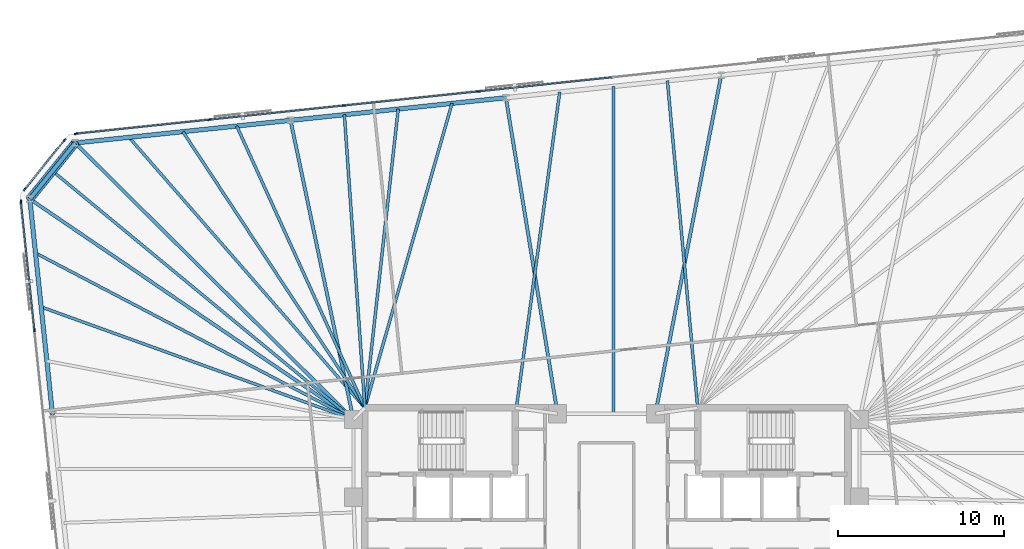
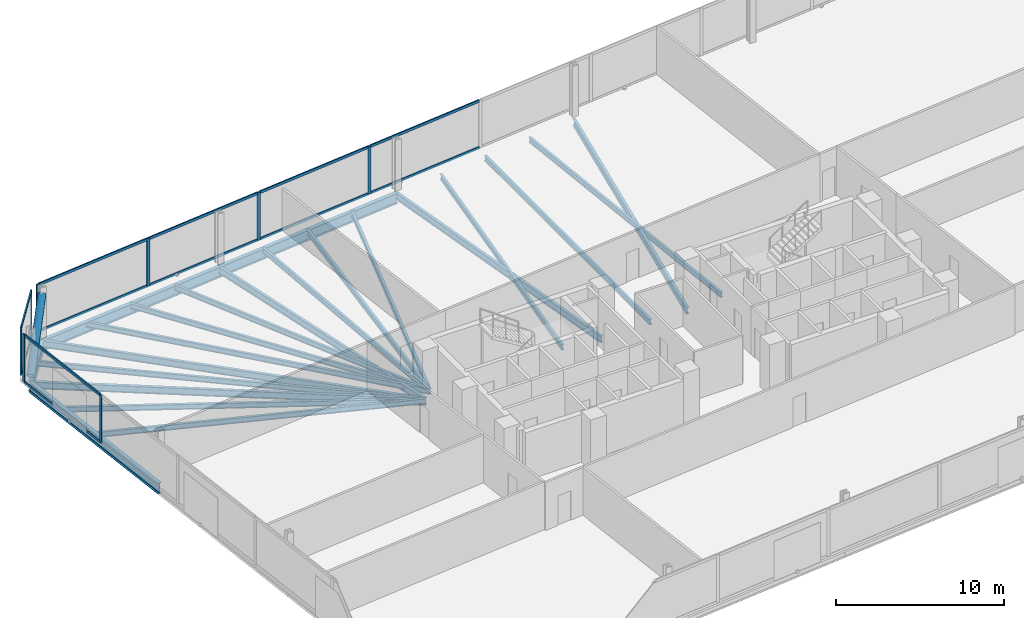
# One storey, part 9 of 18: 21 beams, 21 members, 3 elements without a shape of their own.
"""IFC4 building model written with IfcOpenShell, lengths in metres."""

from ifc_helpers import new_model, si_unit, direction, frame, origin, origin_2d, place, context, subcontext, project, spatial, rectangle, hollow_circle, i_section, extrude, material, material_profile, profile_set, type_object, element, aggregate, save


model = new_model("IFC4")

# Units and contexts
model_context = context("Model", 3, precision=1e-05, world=origin(), true_north=direction((0.0, 1.0)))
body_context = subcontext(model_context, "Body", "Model", "MODEL_VIEW")
ifc_project = project(units=[si_unit("LENGTHUNIT", "METRE"), si_unit("AREAUNIT", "SQUARE_METRE"), si_unit("VOLUMEUNIT", "CUBIC_METRE"), si_unit("PLANEANGLEUNIT", "RADIAN"), si_unit("MASSUNIT", "GRAM", prefix="KILO")], contexts=[model_context])

# Site, building, storey
site_placement = place(None, origin())
site = spatial("IfcSite", under=ifc_project, at=site_placement, CompositionType="ELEMENT")
building_placement = place(site_placement, origin())
building = spatial("IfcBuilding", under=site, at=building_placement, Name="Menara Jurai Vektor", CompositionType="ELEMENT")
storey_placement = place(building_placement, frame((0.0, 0.0, 135.5)))
storey = spatial("IfcBuildingStorey", under=building, at=storey_placement, Name="L34", CompositionType="ELEMENT", Elevation=135.5)

# Curtain wall, members
ifc_material_1 = material(Name="Anodised Pale Aluminium & Low-E Double Glazing", Category="aluminium")
curtain_wall_type = type_object("IfcCurtainWallType", Name="CW-BLK2", PredefinedType="NOTDEFINED", material=ifc_material_1)
curtain_wall_1_placement = place(storey_placement, origin())
curtain_wall_1 = element("IfcCurtainWall", 1, at=curtain_wall_1_placement, inside=storey, type_object=curtain_wall_type, Name="Unitised Curtain Wall L34 F05", PredefinedType="NOTDEFINED")
ifc_material_2 = material(Name="Anodised Pale Aluminium Mullion", Category="aluminium")
ifc_material_profile_1 = material_profile(ifc_material_2, rectangle(XDim=0.090087890625, YDim=0.219970703125, at=origin_2d()), Name="ALU MUL 90x220")
ifc_profile_set_1 = profile_set([ifc_material_profile_1], Name="Anodised Pale Aluminium Mullion")
member_type_1 = type_object("IfcMemberType", Name="CW-BLK2-MUL", PredefinedType="MULLION", material=ifc_profile_set_1)
member_1_placement = place(storey_placement, frame((-7.728271484375, 24.67138671875, 0.0), z_axis=(0.0, 0.0, 1.0), x_axis=(0.104528634935, -0.994521877325, 0.0)))
member_1 = element("IfcMember", 2, at=member_1_placement, type_object=member_type_1, Name="CW-02 mullion 6", PredefinedType="MULLION", context=body_context, shape_type="SweptSolid", body=[
    extrude(rectangle(XDim=0.090087890625, YDim=0.219970703125, at=origin_2d()), origin(), (0.0, 0.0, 1.0), 3.47509765625),
])
member_2_placement = place(storey_placement, frame((-15.826171875, 23.8203125, 0.0), z_axis=(0.0, 0.0, 1.0), x_axis=(0.104528634935, -0.994521877325, 0.0)))
member_2 = element("IfcMember", 3, at=member_2_placement, type_object=member_type_1, Name="CW-02 mullion 7", PredefinedType="MULLION", context=body_context, shape_type="SweptSolid", body=[
    extrude(rectangle(XDim=0.090087890625, YDim=0.219970703125, at=origin_2d()), origin(), (0.0, 0.0, 1.0), 3.47509765625),
])
member_3_placement = place(storey_placement, frame((-23.924072265625, 22.96923828125, 0.0), z_axis=(0.0, 0.0, 1.0), x_axis=(0.104528634935, -0.994521877325, 0.0)))
member_3 = element("IfcMember", 4, at=member_3_placement, type_object=member_type_1, Name="CW-02 mullion 8", PredefinedType="MULLION", context=body_context, shape_type="SweptSolid", body=[
    extrude(rectangle(XDim=0.090087890625, YDim=0.219970703125, at=origin_2d()), origin(), (0.0, 0.0, 1.0), 3.47509765625),
])
member_4_placement = place(storey_placement, frame((-31.97705078125, 22.122802734375, 0.0), z_axis=(0.0, 0.0, 1.0), x_axis=(0.104528634935, -0.994521877325, 0.0)))
member_4 = element("IfcMember", 5, at=member_4_placement, type_object=member_type_1, Name="CW-02 mullion 9", PredefinedType="MULLION", context=body_context, shape_type="SweptSolid", body=[
    extrude(rectangle(XDim=0.090087890625, YDim=0.219970703125, at=origin_2d()), origin(), (0.0, 0.0, 1.0), 3.47509765625),
])

curtain_wall_2_placement = place(storey_placement, origin())
curtain_wall_2 = element("IfcCurtainWall", 6, at=curtain_wall_2_placement, inside=storey, type_object=curtain_wall_type, Name="Unitised Curtain Wall L34 F06", PredefinedType="NOTDEFINED")
member_5_placement = place(storey_placement, frame((-32.667236328125, 21.748046875, 0.0), z_axis=(0.0, 0.0, 1.0), x_axis=(0.777129222223, -0.62934106172, 0.0)))
member_5 = element("IfcMember", 7, at=member_5_placement, type_object=member_type_1, Name="CW-02 mullion 1", PredefinedType="MULLION", context=body_context, shape_type="SweptSolid", body=[
    extrude(rectangle(XDim=0.090087890625, YDim=0.219970703125, at=origin_2d()), origin(), (0.0, 0.0, 1.0), 3.47509765625),
])
member_6_placement = place(storey_placement, frame((-35.0693359375, 18.781982421875, 0.0), z_axis=(0.0, 0.0, 1.0), x_axis=(0.777129222223, -0.62934106172, 0.0)))
member_6 = element("IfcMember", 8, at=member_6_placement, type_object=member_type_1, Name="CW-02 mullion 2", PredefinedType="MULLION", context=body_context, shape_type="SweptSolid", body=[
    extrude(rectangle(XDim=0.090087890625, YDim=0.219970703125, at=origin_2d()), origin(), (0.0, 0.0, 1.0), 3.47509765625),
])

curtain_wall_3_placement = place(storey_placement, origin())
curtain_wall_3 = element("IfcCurtainWall", 9, at=curtain_wall_3_placement, inside=storey, type_object=curtain_wall_type, Name="Unitised Curtain Wall L34 F07", PredefinedType="NOTDEFINED")
member_7_placement = place(storey_placement, frame((-35.29248046875, 18.029052734375, 0.0), z_axis=(0.0, 0.0, 1.0), x_axis=(0.99452177832, 0.104529576902, 0.0)))
member_7 = element("IfcMember", 10, at=member_7_placement, type_object=member_type_1, Name="CW-02 mullion 1", PredefinedType="MULLION", context=body_context, shape_type="SweptSolid", body=[
    extrude(rectangle(XDim=0.090087890625, YDim=0.219970703125, at=origin_2d()), origin(), (0.0, 0.0, 1.0), 3.47509765625),
])
member_8_placement = place(storey_placement, frame((-34.478759765625, 10.28857421875, 0.0), z_axis=(0.0, 0.0, 1.0), x_axis=(0.99452177832, 0.104529576902, 0.0)))
member_8 = element("IfcMember", 11, at=member_8_placement, type_object=member_type_1, Name="CW-02 mullion 2", PredefinedType="MULLION", context=body_context, shape_type="SweptSolid", body=[
    extrude(rectangle(XDim=0.090087890625, YDim=0.219970703125, at=origin_2d()), origin(), (0.0, 0.0, 1.0), 3.47509765625),
])

# Member
ifc_material_3 = material(Name="Anodised Pale Aluminium Transom", Category="aluminium")
ifc_material_profile_2 = material_profile(ifc_material_3, rectangle(XDim=0.090087890625, YDim=0.18505859375, at=origin_2d()), Name="ALU TRN 90x185")
ifc_profile_set_2 = profile_set([ifc_material_profile_2], Name="Anodised Pale Aluminium Transom")
member_type_2 = type_object("IfcMemberType", Name="CW-BLK2-TRN", PredefinedType="USERDEFINED", material=ifc_profile_set_2)
member_9_placement = place(storey_placement, frame((0.324951171875, 25.517822265625, 0.044921875), z_axis=(-0.99452387809, -0.104509597213, 0.0), x_axis=(0.104509597213, -0.99452387809, 0.0)))
member_9 = element("IfcMember", 12, at=member_9_placement, type_object=member_type_2, Name="CW-02 transom 5.1", ObjectType="TRANSOM", PredefinedType="USERDEFINED", context=body_context, shape_type="SweptSolid", body=[
    extrude(rectangle(XDim=0.090087890625, YDim=0.18505859375, at=origin_2d()), origin(), (0.0, 0.0, 1.0), 8.052490234375),
])

member_10_placement = place(storey_placement, frame((0.324951171875, 25.517822265625, 3.429931640625), z_axis=(-0.99452387809, -0.104509597213, 0.0), x_axis=(0.104509597213, -0.99452387809, 0.0)))
member_10 = element("IfcMember", 13, at=member_10_placement, type_object=member_type_2, Name="CW-02 transom 5.2", ObjectType="TRANSOM", PredefinedType="USERDEFINED", context=body_context, shape_type="SweptSolid", body=[
    extrude(rectangle(XDim=0.090087890625, YDim=0.18505859375, at=origin_2d()), origin(), (0.0, 0.0, 1.0), 8.052490234375),
])

member_11_placement = place(storey_placement, frame((-7.77294921875, 24.666748046875, 0.044921875), z_axis=(-0.994520726373, -0.10453958492, 0.0), x_axis=(0.10453958492, -0.994520726373, 0.0)))
member_11 = element("IfcMember", 14, at=member_11_placement, type_object=member_type_2, Name="CW-02 transom 6.1", ObjectType="TRANSOM", PredefinedType="USERDEFINED", context=body_context, shape_type="SweptSolid", body=[
    extrude(rectangle(XDim=0.090087890625, YDim=0.18505859375, at=origin_2d()), origin(), (0.0, 0.0, 1.0), 8.052490234375),
])

member_12_placement = place(storey_placement, frame((-7.77294921875, 24.666748046875, 3.429931640625), z_axis=(-0.994520726373, -0.10453958492, 0.0), x_axis=(0.10453958492, -0.994520726373, 0.0)))
member_12 = element("IfcMember", 15, at=member_12_placement, type_object=member_type_2, Name="CW-02 transom 6.2", ObjectType="TRANSOM", PredefinedType="USERDEFINED", context=body_context, shape_type="SweptSolid", body=[
    extrude(rectangle(XDim=0.090087890625, YDim=0.18505859375, at=origin_2d()), origin(), (0.0, 0.0, 1.0), 8.052490234375),
])

member_13_placement = place(storey_placement, frame((-15.870849609375, 23.815673828125, 0.044921875), z_axis=(-0.994520726373, -0.10453958492, 0.0), x_axis=(0.10453958492, -0.994520726373, 0.0)))
member_13 = element("IfcMember", 16, at=member_13_placement, type_object=member_type_2, Name="CW-02 transom 7.1", ObjectType="TRANSOM", PredefinedType="USERDEFINED", context=body_context, shape_type="SweptSolid", body=[
    extrude(rectangle(XDim=0.090087890625, YDim=0.18505859375, at=origin_2d()), origin(), (0.0, 0.0, 1.0), 8.052490234375),
])

member_14_placement = place(storey_placement, frame((-15.870849609375, 23.815673828125, 3.429931640625), z_axis=(-0.994520726373, -0.10453958492, 0.0), x_axis=(0.10453958492, -0.994520726373, 0.0)))
member_14 = element("IfcMember", 17, at=member_14_placement, type_object=member_type_2, Name="CW-02 transom 7.2", ObjectType="TRANSOM", PredefinedType="USERDEFINED", context=body_context, shape_type="SweptSolid", body=[
    extrude(rectangle(XDim=0.090087890625, YDim=0.18505859375, at=origin_2d()), origin(), (0.0, 0.0, 1.0), 8.052490234375),
])

member_15_placement = place(storey_placement, frame((-23.96875, 22.964599609375, 0.044921875), z_axis=(-0.994519977808, -0.104546706027, 0.0), x_axis=(0.104546706027, -0.994519977808, 0.0)))
member_15 = element("IfcMember", 18, at=member_15_placement, type_object=member_type_2, Name="CW-02 transom 8.1", ObjectType="TRANSOM", PredefinedType="USERDEFINED", context=body_context, shape_type="SweptSolid", body=[
    extrude(rectangle(XDim=0.090087890625, YDim=0.18505859375, at=origin_2d()), origin(), (0.0, 0.0, 1.0), 8.007568359375),
])

member_16_placement = place(storey_placement, frame((-23.96875, 22.964599609375, 3.429931640625), z_axis=(-0.994519977808, -0.104546706027, 0.0), x_axis=(0.104546706027, -0.994519977808, 0.0)))
member_16 = element("IfcMember", 19, at=member_16_placement, type_object=member_type_2, Name="CW-02 transom 8.2", ObjectType="TRANSOM", PredefinedType="USERDEFINED", context=body_context, shape_type="SweptSolid", body=[
    extrude(rectangle(XDim=0.090087890625, YDim=0.18505859375, at=origin_2d()), origin(), (0.0, 0.0, 1.0), 8.007568359375),
])

aggregate(curtain_wall_1, [member_1, member_2, member_3, member_4, member_9, member_10, member_11, member_12, member_13, member_14, member_15, member_16])

member_17_placement = place(storey_placement, frame((-32.695556640625, 21.713134765625, 0.044921875), z_axis=(-0.6293414396, -0.777128916205, 0.0), x_axis=(0.777128916205, -0.6293414396, 0.0)))
member_17 = element("IfcMember", 20, at=member_17_placement, type_object=member_type_2, Name="CW-02 transom 1.1", ObjectType="TRANSOM", PredefinedType="USERDEFINED", context=body_context, shape_type="SweptSolid", body=[
    extrude(rectangle(XDim=0.090087890625, YDim=0.18505859375, at=origin_2d()), origin(), (0.0, 0.0, 1.0), 3.726806640625),
])

member_18_placement = place(storey_placement, frame((-32.695556640625, 21.713134765625, 3.429931640625), z_axis=(-0.6293414396, -0.777128916205, 0.0), x_axis=(0.777128916205, -0.6293414396, 0.0)))
member_18 = element("IfcMember", 21, at=member_18_placement, type_object=member_type_2, Name="CW-02 transom 1.2", ObjectType="TRANSOM", PredefinedType="USERDEFINED", context=body_context, shape_type="SweptSolid", body=[
    extrude(rectangle(XDim=0.090087890625, YDim=0.18505859375, at=origin_2d()), origin(), (0.0, 0.0, 1.0), 3.726806640625),
])

aggregate(curtain_wall_2, [member_5, member_6, member_17, member_18])

member_19_placement = place(storey_placement, frame((-35.28759765625, 17.984130859375, 0.044921875), z_axis=(0.104504716935, -0.994524390922, 0.0), x_axis=(0.994524390922, 0.104504716935, 0.0)))
member_19 = element("IfcMember", 22, at=member_19_placement, type_object=member_type_2, Name="CW-02 transom 1.1", ObjectType="TRANSOM", PredefinedType="USERDEFINED", context=body_context, shape_type="SweptSolid", body=[
    extrude(rectangle(XDim=0.090087890625, YDim=0.18505859375, at=origin_2d()), origin(), (0.0, 0.0, 1.0), 7.693115234375),
])

member_20_placement = place(storey_placement, frame((-35.28759765625, 17.984130859375, 3.429931640625), z_axis=(0.104504716935, -0.994524390922, 0.0), x_axis=(0.994524390922, 0.104504716935, 0.0)))
member_20 = element("IfcMember", 23, at=member_20_placement, type_object=member_type_2, Name="CW-02 transom 1.2", ObjectType="TRANSOM", PredefinedType="USERDEFINED", context=body_context, shape_type="SweptSolid", body=[
    extrude(rectangle(XDim=0.090087890625, YDim=0.18505859375, at=origin_2d()), origin(), (0.0, 0.0, 1.0), 7.693115234375),
])

aggregate(curtain_wall_3, [member_7, member_8, member_19, member_20])

# Beams
ifc_material_4 = material(Name="Steel S355", Category="steel")
ifc_material_profile_3 = material_profile(ifc_material_4, i_section(OverallWidth=0.199951171875, OverallDepth=0.5, WebThickness=0.011962890625, FlangeThickness=0.02001953125, at=origin_2d()), Name="PG 500x200x96")
ifc_profile_set_3 = profile_set([ifc_material_profile_3], Name="Steel S355")
beam_type_1 = type_object("IfcBeamType", Name="STR-BM-500", PredefinedType="BEAM", material=ifc_profile_set_3)
beam_1_placement = place(storey_placement, frame((6.9169921875, 25.65771484375, -0.47509765625), z_axis=(-0.190817481746, -0.981625533826, 0.0), x_axis=(0.981625533826, -0.190817481746, 0.0)))
element("IfcBeam", 24, at=beam_1_placement, inside=storey, type_object=beam_type_1, Name="Radial Floor Girder L34-N3", PredefinedType="BEAM", context=body_context, shape_type="SweptSolid", body=[
    extrude(i_section(OverallWidth=0.199951171875, OverallDepth=0.5, WebThickness=0.011962890625, FlangeThickness=0.02001953125, at=origin_2d()), origin(), (0.0, 0.0, 1.0), 20.789794921875),
])
beam_2_placement = place(storey_placement, frame((-6.0625, 24.29345703125, -0.47509765625), z_axis=(0.161304178177, -0.986904738109, 0.0), x_axis=(0.986904738109, 0.161304178177, 0.0)))
element("IfcBeam", 25, at=beam_2_placement, inside=storey, type_object=beam_type_1, Name="Radial Floor Girder L34-N4", PredefinedType="BEAM", context=body_context, shape_type="SweptSolid", body=[
    extrude(i_section(OverallWidth=0.199951171875, OverallDepth=0.5, WebThickness=0.011962890625, FlangeThickness=0.02001953125, at=origin_2d()), origin(), (0.0, 0.0, 1.0), 19.296142578125),
])
beam_3_placement = place(storey_placement, frame((-19.042236328125, 22.92919921875, -0.47509765625), z_axis=(0.205833499861, -0.978587027471, 0.0), x_axis=(0.978587027471, 0.205833499861, 0.0)))
element("IfcBeam", 26, at=beam_3_placement, inside=storey, type_object=beam_type_1, Name="Radial Floor Girder L34-N5", PredefinedType="BEAM", context=body_context, shape_type="SweptSolid", body=[
    extrude(i_section(OverallWidth=0.199951171875, OverallDepth=0.5, WebThickness=0.011962890625, FlangeThickness=0.02001953125, at=origin_2d()), origin(), (0.0, 0.0, 1.0), 18.423828125),
])
beam_4_placement = place(storey_placement, frame((-32.02197265625, 21.565185546875, -0.47509765625), z_axis=(0.709359361276, -0.704847002242, 0.0), x_axis=(0.704847002242, 0.709359361276, 0.0)))
element("IfcBeam", 27, at=beam_4_placement, inside=storey, type_object=beam_type_1, Name="Radial Floor Girder L34-N6", PredefinedType="BEAM", context=body_context, shape_type="SweptSolid", body=[
    extrude(i_section(OverallWidth=0.199951171875, OverallDepth=0.5, WebThickness=0.011962890625, FlangeThickness=0.02001953125, at=origin_2d()), origin(), (0.0, 0.0, 1.0), 23.643798828125),
])
beam_5_placement = place(storey_placement, frame((-34.756103515625, 18.188720703125, -0.47509765625), z_axis=(0.826440214756, -0.563024485643, 0.0), x_axis=(0.563024485643, 0.826440214756, 0.0)))
element("IfcBeam", 28, at=beam_5_placement, inside=storey, type_object=beam_type_1, Name="Radial Floor Girder L34-W1", PredefinedType="BEAM", context=body_context, shape_type="SweptSolid", body=[
    extrude(i_section(OverallWidth=0.199951171875, OverallDepth=0.5, WebThickness=0.011962890625, FlangeThickness=0.02001953125, at=origin_2d()), origin(), (0.0, 0.0, 1.0), 23.6025390625),
])

# Member
ifc_material_5 = material(Name="Steel S460", Category="steel")
ifc_material_profile_4 = material_profile(ifc_material_5, hollow_circle(Radius=0.25390625, WallThickness=0.02001953125, at=origin_2d()), Name="CHS 508x20")
ifc_profile_set_4 = profile_set([ifc_material_profile_4], Name="Steel S460")
member_type_3 = type_object("IfcMemberType", Name="STR-BR-508", PredefinedType="BRACE", material=ifc_profile_set_4)
member_21_placement = place(storey_placement, frame((-34.756103515625, 18.188720703125, 0.14990234375), z_axis=(0.519237856236, 0.641223283484, 0.564999778203), x_axis=(-0.777154568396, 0.629309762217, 0.0)))
element("IfcMember", 29, at=member_21_placement, inside=storey, type_object=member_type_3, Name="Exoskeleton Corner Brace L34-3", PredefinedType="BRACE", context=body_context, shape_type="SweptSolid", body=[
    extrude(hollow_circle(Radius=0.25390625, WallThickness=0.02001953125, at=origin_2d()), origin(), (0.0, 0.0, 1.0), 5.265625),
])

# Beams
ifc_material_profile_5 = material_profile(ifc_material_4, i_section(OverallWidth=0.175048828125, OverallDepth=0.3798828125, WebThickness=0.010009765625, FlangeThickness=0.014892578125, at=origin_2d()), Name="PG 380x175x58")
ifc_profile_set_5 = profile_set([ifc_material_profile_5], Name="Steel S355")
beam_type_2 = type_object("IfcBeamType", Name="STR-JS-380", PredefinedType="JOIST", material=ifc_profile_set_5)
beam_6_placement = place(storey_placement, frame((3.672119140625, 25.316650390625, -0.4150390625), z_axis=(0.092312082085, -0.995730123829, 0.0), x_axis=(0.995730123829, 0.092312082085, 0.0)))
element("IfcBeam", 30, at=beam_6_placement, inside=storey, type_object=beam_type_2, Name="Radial Secondary Floor Joist L34-JS26", PredefinedType="JOIST", context=body_context, shape_type="SweptSolid", body=[
    extrude(i_section(OverallWidth=0.175048828125, OverallDepth=0.3798828125, WebThickness=0.010009765625, FlangeThickness=0.014892578125, at=origin_2d()), origin(), (0.0, 0.0, 1.0), 19.801025390625),
])
beam_7_placement = place(storey_placement, frame((0.42724609375, 24.9755859375, -0.4150390625), z_axis=(0.0, -1.0, 0.0), x_axis=(1.0, 0.0, 0.0)))
element("IfcBeam", 31, at=beam_7_placement, inside=storey, type_object=beam_type_2, Name="Radial Secondary Floor Joist L34-JS27", PredefinedType="JOIST", context=body_context, shape_type="SweptSolid", body=[
    extrude(i_section(OverallWidth=0.175048828125, OverallDepth=0.3798828125, WebThickness=0.010009765625, FlangeThickness=0.014892578125, at=origin_2d()), origin(), (0.0, 0.0, 1.0), 19.7255859375),
])
beam_8_placement = place(storey_placement, frame((-2.817626953125, 24.634521484375, -0.4150390625), z_axis=(-0.135987109192, -0.990710606652, 0.0), x_axis=(0.990710606652, -0.135987109192, 0.0)))
element("IfcBeam", 32, at=beam_8_placement, inside=storey, type_object=beam_type_2, Name="Radial Secondary Floor Joist L34-JS28", PredefinedType="JOIST", context=body_context, shape_type="SweptSolid", body=[
    extrude(i_section(OverallWidth=0.175048828125, OverallDepth=0.3798828125, WebThickness=0.010009765625, FlangeThickness=0.014892578125, at=origin_2d()), origin(), (0.0, 0.0, 1.0), 19.222412109375),
])
beam_9_placement = place(storey_placement, frame((-9.3076171875, 23.952392578125, -0.4150390625), z_axis=(-0.275153530359, -0.961400298903, 0.0), x_axis=(0.961400298903, -0.275153530359, 0.0)))
element("IfcBeam", 33, at=beam_9_placement, inside=storey, type_object=beam_type_2, Name="Radial Secondary Floor Joist L34-JS29", PredefinedType="JOIST", context=body_context, shape_type="SweptSolid", body=[
    extrude(i_section(OverallWidth=0.175048828125, OverallDepth=0.3798828125, WebThickness=0.010009765625, FlangeThickness=0.014892578125, at=origin_2d()), origin(), (0.0, 0.0, 1.0), 19.089111328125),
])
beam_10_placement = place(storey_placement, frame((-12.552490234375, 23.611328125, -0.4150390625), z_axis=(-0.110776028048, -0.993845396231, 0.0), x_axis=(0.993845396231, -0.110776028048, 0.0)))
element("IfcBeam", 34, at=beam_10_placement, inside=storey, type_object=beam_type_2, Name="Radial Secondary Floor Joist L34-JS30", PredefinedType="JOIST", context=body_context, shape_type="SweptSolid", body=[
    extrude(i_section(OverallWidth=0.175048828125, OverallDepth=0.3798828125, WebThickness=0.010009765625, FlangeThickness=0.014892578125, at=origin_2d()), origin(), (0.0, 0.0, 1.0), 18.122802734375),
])
beam_11_placement = place(storey_placement, frame((-15.79736328125, 23.2705078125, -0.4150390625), z_axis=(0.069850249402, -0.997557488398, 0.0), x_axis=(0.997557488398, 0.069850249402, 0.0)))
element("IfcBeam", 35, at=beam_11_placement, inside=storey, type_object=beam_type_2, Name="Radial Secondary Floor Joist L34-JS31", PredefinedType="JOIST", context=body_context, shape_type="SweptSolid", body=[
    extrude(i_section(OverallWidth=0.175048828125, OverallDepth=0.3798828125, WebThickness=0.010009765625, FlangeThickness=0.014892578125, at=origin_2d()), origin(), (0.0, 0.0, 1.0), 17.713623046875),
])
beam_12_placement = place(storey_placement, frame((-22.287109375, 22.58837890625, -0.4150390625), z_axis=(0.414029617818, -0.910263409992, 0.0), x_axis=(0.910263409992, 0.414029617818, 0.0)))
element("IfcBeam", 36, at=beam_12_placement, inside=storey, type_object=beam_type_2, Name="Radial Secondary Floor Joist L34-JS32", PredefinedType="JOIST", context=body_context, shape_type="SweptSolid", body=[
    extrude(i_section(OverallWidth=0.175048828125, OverallDepth=0.3798828125, WebThickness=0.010009765625, FlangeThickness=0.014892578125, at=origin_2d()), origin(), (0.0, 0.0, 1.0), 18.6630859375),
])
beam_13_placement = place(storey_placement, frame((-25.531982421875, 22.247314453125, -0.4150390625), z_axis=(0.550309675793, -0.834960634239, 0.0), x_axis=(0.834960634239, 0.550309675793, 0.0)))
element("IfcBeam", 37, at=beam_13_placement, inside=storey, type_object=beam_type_2, Name="Radial Secondary Floor Joist L34-JS33", PredefinedType="JOIST", context=body_context, shape_type="SweptSolid", body=[
    extrude(i_section(OverallWidth=0.175048828125, OverallDepth=0.3798828125, WebThickness=0.010009765625, FlangeThickness=0.014892578125, at=origin_2d()), origin(), (0.0, 0.0, 1.0), 19.937744140625),
])
beam_14_placement = place(storey_placement, frame((-28.777099609375, 21.90625, -0.4150390625), z_axis=(0.657172520545, -0.753740192798, 0.0), x_axis=(0.753740192798, 0.657172520545, 0.0)))
element("IfcBeam", 38, at=beam_14_placement, inside=storey, type_object=beam_type_2, Name="Radial Secondary Floor Joist L34-JS34", PredefinedType="JOIST", context=body_context, shape_type="SweptSolid", body=[
    extrude(i_section(OverallWidth=0.175048828125, OverallDepth=0.3798828125, WebThickness=0.010009765625, FlangeThickness=0.014892578125, at=origin_2d()), origin(), (0.0, 0.0, 1.0), 21.633544921875),
])
beam_15_placement = place(storey_placement, frame((-33.388916015625, 19.876953125, -0.4150390625), z_axis=(0.771113505069, -0.636697700876, 0.0), x_axis=(0.636697700876, 0.771113505069, 0.0)))
element("IfcBeam", 39, at=beam_15_placement, inside=storey, type_object=beam_type_2, Name="Radial Secondary Floor Joist L34-JS35", PredefinedType="JOIST", context=body_context, shape_type="SweptSolid", body=[
    extrude(i_section(OverallWidth=0.175048828125, OverallDepth=0.3798828125, WebThickness=0.010009765625, FlangeThickness=0.014892578125, at=origin_2d()), origin(), (0.0, 0.0, 1.0), 23.52294921875),
])
beam_16_placement = place(storey_placement, frame((-34.414306640625, 14.935302734375, -0.4150390625), z_axis=(0.885889402471, -0.463896504179, 0.0), x_axis=(0.463896504179, 0.885889402471, 0.0)))
element("IfcBeam", 40, at=beam_16_placement, inside=storey, type_object=beam_type_2, Name="Radial Secondary Floor Joist L34-JS36", PredefinedType="JOIST", context=body_context, shape_type="SweptSolid", body=[
    extrude(i_section(OverallWidth=0.175048828125, OverallDepth=0.3798828125, WebThickness=0.010009765625, FlangeThickness=0.014892578125, at=origin_2d()), origin(), (0.0, 0.0, 1.0), 21.6328125),
])
beam_17_placement = place(storey_placement, frame((-34.072265625, 11.681884765625, -0.4150390625), z_axis=(0.940792327273, -0.338983475917, 0.0), x_axis=(0.338983475917, 0.940792327273, 0.0)))
element("IfcBeam", 41, at=beam_17_placement, inside=storey, type_object=beam_type_2, Name="Radial Secondary Floor Joist L34-JS37", PredefinedType="JOIST", context=body_context, shape_type="SweptSolid", body=[
    extrude(i_section(OverallWidth=0.175048828125, OverallDepth=0.3798828125, WebThickness=0.010009765625, FlangeThickness=0.014892578125, at=origin_2d()), origin(), (0.0, 0.0, 1.0), 20.0068359375),
])
ifc_material_profile_6 = material_profile(ifc_material_5, i_section(OverallWidth=0.26806640625, OverallDepth=0.77001953125, WebThickness=0.01611328125, FlangeThickness=0.02490234375, FilletRadius=0.01708984375, at=origin_2d()), Name="UKB 762x267x197")
ifc_profile_set_6 = profile_set([ifc_material_profile_6], Name="Steel S460")
beam_type_3 = type_object("IfcBeamType", Name="STR-SP-762", PredefinedType="SPANDREL", material=ifc_profile_set_6)
for number, where, z_axis, x_axis, name in (
    (42, (-6.0625, 24.29345703125, -0.610107421875), (-0.994521636083, -0.104530930169, 0.0), (0.104530930169, -0.994521636083, 0.0), "Exoskeleton Spandrel Beam L34-14"),
    (43, (-19.042236328125, 22.92919921875, -0.610107421875), (-0.994523580592, -0.104512428191, 0.0), (0.104512428191, -0.994523580592, 0.0), "Exoskeleton Spandrel Beam L34-15"),
):
    element("IfcBeam", number, at=place(storey_placement, frame(where, z_axis=z_axis, x_axis=x_axis)), inside=storey, type_object=beam_type_3, Name=name, PredefinedType="SPANDREL", context=body_context, shape_type="SweptSolid", body=[
        extrude(i_section(OverallWidth=0.26806640625, OverallDepth=0.77001953125, WebThickness=0.01611328125, FlangeThickness=0.02490234375, FilletRadius=0.01708984375, at=origin_2d()), origin(), (0.0, 0.0, 1.0), 13.05126953125),
    ])
beam_18_placement = place(storey_placement, frame((-32.02197265625, 21.565185546875, -0.610107421875), z_axis=(-0.629309762217, -0.777154568396, 0.0), x_axis=(0.777154568396, -0.629309762217, 0.0)))
element("IfcBeam", 44, at=beam_18_placement, inside=storey, type_object=beam_type_3, Name="Exoskeleton Spandrel Beam L34-16", PredefinedType="SPANDREL", context=body_context, shape_type="SweptSolid", body=[
    extrude(i_section(OverallWidth=0.26806640625, OverallDepth=0.77001953125, WebThickness=0.01611328125, FlangeThickness=0.02490234375, FilletRadius=0.01708984375, at=origin_2d()), origin(), (0.0, 0.0, 1.0), 4.3447265625),
])
beam_19_placement = place(storey_placement, frame((-34.756103515625, 18.188720703125, -0.610107421875), z_axis=(0.104538130097, -0.994520879296, 0.0), x_axis=(0.994520879296, 0.104538130097, 0.0)))
element("IfcBeam", 45, at=beam_19_placement, inside=storey, type_object=beam_type_3, Name="Exoskeleton Spandrel Beam L34-17", PredefinedType="SPANDREL", context=body_context, shape_type="SweptSolid", body=[
    extrude(i_section(OverallWidth=0.26806640625, OverallDepth=0.77001953125, WebThickness=0.01611328125, FlangeThickness=0.02490234375, FilletRadius=0.01708984375, at=origin_2d()), origin(), (0.0, 0.0, 1.0), 13.08544921875),
])

save(model, "model.ifc")
